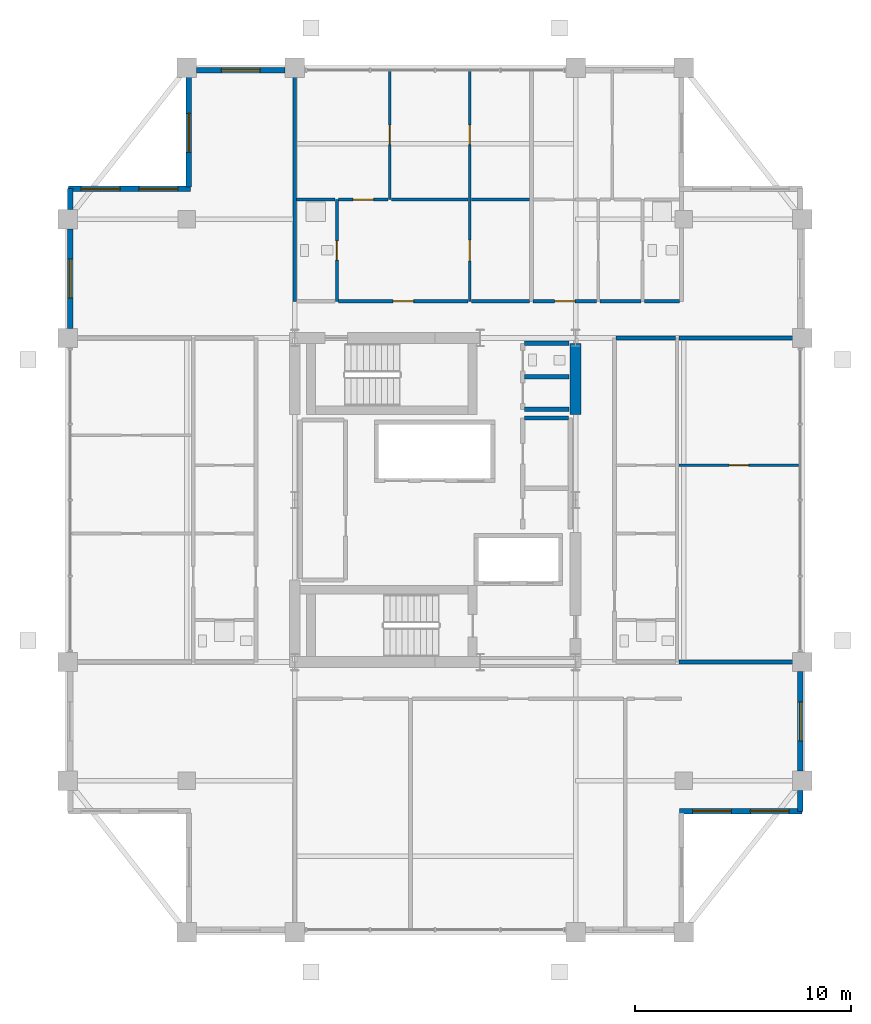
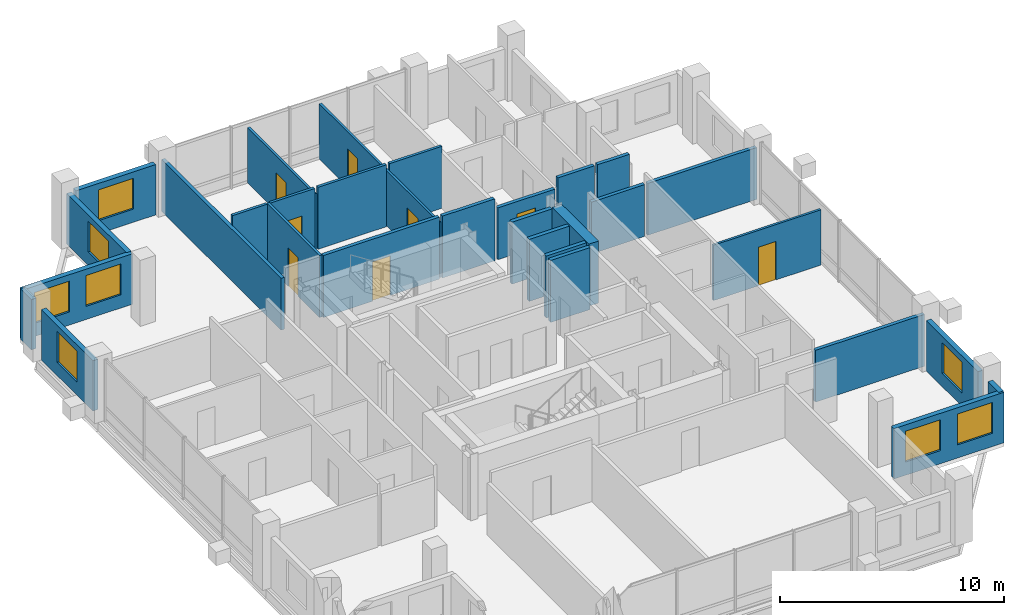
# One storey, part 18 of 21: 30 walls, 8 doors, 8 windows, 16 openings.
"""IFC4 building model written with IfcOpenShell, lengths in metres."""

from ifc_helpers import new_model, si_unit, direction, frame, frame_2d, origin, place, context, subcontext, project, spatial, rectangle, extrude, material, layer, layer_set, type_object, element, fill, save


model = new_model("IFC4")

# Units and contexts
model_context = context("Model", 3, precision=1e-05, world=origin(), true_north=direction((0.0, 1.0)))
body_context = subcontext(model_context, "Body", "Model", "MODEL_VIEW")
ifc_project = project(units=[si_unit("LENGTHUNIT", "METRE"), si_unit("AREAUNIT", "SQUARE_METRE"), si_unit("VOLUMEUNIT", "CUBIC_METRE"), si_unit("PLANEANGLEUNIT", "RADIAN"), si_unit("MASSUNIT", "GRAM", prefix="KILO")], contexts=[model_context])

# Site, building, storey
site_placement = place(None, origin())
site = spatial("IfcSite", under=ifc_project, at=site_placement, CompositionType="ELEMENT")
building_placement = place(site_placement, origin())
building = spatial("IfcBuilding", under=site, at=building_placement, Name="Barlavira Tower and Art Museum", CompositionType="ELEMENT")
storey_placement = place(building_placement, frame((0.0, 0.0, 254.699951171875)))
storey = spatial("IfcBuildingStorey", under=building, at=storey_placement, Name="L66", CompositionType="ELEMENT", Elevation=254.699951171875)

# Wall, opening, door
ifc_material_1 = material(Name="Gypsum acoustic stud partition", Category="gypsum")
ifc_layer_1 = layer(ifc_material_1, 0.1201171875, Name="Gypsum acoustic stud partition")
ifc_layer_set_1 = layer_set([ifc_layer_1], Name="Gypsum acoustic stud partition")
wall_type_1 = type_object("IfcWallType", Name="Apartment Internal Acoustic Partition 120", PredefinedType="PARTITIONING", material=ifc_layer_set_1)
wall_1_placement = place(storey_placement, frame((-2.10009765625, 13.89990234375, 0.0), z_axis=(0.0, 0.0, 1.0), x_axis=(0.0, 1.0, 0.0)))
wall_1 = element("IfcWall", 1, at=wall_1_placement, inside=storey, type_object=wall_type_1, Name="L66 Partition Wall 8", PredefinedType="PARTITIONING", context=body_context, shape_type="SweptSolid", body=[
    extrude(rectangle(XDim=6.0, YDim=0.1201171875, at=frame_2d((3.0, 0.0))), origin(), (0.0, 0.0, 1.0), 3.01806640625),
])
opening_1_placement = place(wall_1_placement, frame((2.550048828125, 0.0, 0.0)))
opening_1 = element("IfcOpeningElement", 2, at=opening_1_placement, cuts=wall_1, Name="Opening D-01", PredefinedType="OPENING", context=body_context, shape_type="SweptSolid", body=[
    extrude(rectangle(XDim=0.89990234375, YDim=2.10009765625, at=frame_2d((0.449951171875, 1.050048828125))), frame((0.0, 0.070068359375, 0.0), z_axis=(0.0, -1.0, 0.0), x_axis=(1.0, 0.0, 0.0)), (0.0, 0.0, 1.0), 0.14013671875),
])
ifc_material_2 = material(Name="Engineered coastal hardwood", Category="wood")
door_type_1 = type_object("IfcDoorType", Name="Internal Bedroom Timber Flush Door 900x2100", OperationType="NOTDEFINED", PredefinedType="DOOR", material=ifc_material_2)
door_1_placement = place(opening_1_placement, origin())
door_1 = element("IfcDoor", 3, at=door_1_placement, inside=storey, type_object=door_type_1, Name="Apartment N1 Bedroom 1 Door", OperationType="SINGLE_SWING_RIGHT", OverallHeight=2.10009765625, OverallWidth=0.89990234375, PredefinedType="DOOR", context=body_context, shape_type="SweptSolid", body=[
    extrude(rectangle(XDim=0.89990234375, YDim=2.10009765625, at=frame_2d((0.449951171875, 1.050048828125))), frame((0.0, 0.02490234375, 0.0), z_axis=(0.0, -1.0, 0.0), x_axis=(1.0, 0.0, 0.0)), (0.0, 0.0, 1.0), 0.050048828125),
])
fill(opening_1, door_1)

# Wall, openings, doors
wall_2_placement = place(storey_placement, frame((1.60009765625, 9.199951171875, 0.0), z_axis=(0.0, 0.0, 1.0), x_axis=(0.0, 1.0, 0.0)))
wall_2 = element("IfcWall", 4, at=wall_2_placement, inside=storey, type_object=wall_type_1, Name="L66 Partition Wall 10", PredefinedType="PARTITIONING", context=body_context, shape_type="SweptSolid", body=[
    extrude(rectangle(XDim=10.699951171875, YDim=0.1201171875, at=frame_2d((5.35009765625, 0.0))), origin(), (0.0, 0.0, 1.0), 3.01806640625),
])
opening_2_placement = place(wall_2_placement, frame((1.875, 0.0, 0.0)))
opening_2 = element("IfcOpeningElement", 5, at=opening_2_placement, cuts=wall_2, Name="Opening D-02", PredefinedType="OPENING", context=body_context, shape_type="SweptSolid", body=[
    extrude(rectangle(XDim=0.949951171875, YDim=2.10009765625, at=frame_2d((0.47509765625, 1.050048828125))), frame((0.0, 0.070068359375, 0.0), z_axis=(0.0, -1.0, 0.0), x_axis=(1.0, 0.0, 0.0)), (0.0, 0.0, 1.0), 0.14013671875),
])
opening_3_placement = place(wall_2_placement, frame((7.25, 0.0, 0.0)))
opening_3 = element("IfcOpeningElement", 6, at=opening_3_placement, cuts=wall_2, Name="Opening D-01", PredefinedType="OPENING", context=body_context, shape_type="SweptSolid", body=[
    extrude(rectangle(XDim=0.89990234375, YDim=2.10009765625, at=frame_2d((0.449951171875, 1.050048828125))), frame((0.0, 0.070068359375, 0.0), z_axis=(0.0, -1.0, 0.0), x_axis=(1.0, 0.0, 0.0)), (0.0, 0.0, 1.0), 0.14013671875),
])
door_2_placement = place(opening_3_placement, origin())
door_2 = element("IfcDoor", 7, at=door_2_placement, inside=storey, type_object=door_type_1, Name="Apartment N1 Bedroom 2 Door", OperationType="SINGLE_SWING_LEFT", OverallHeight=2.10009765625, OverallWidth=0.89990234375, PredefinedType="DOOR", context=body_context, shape_type="SweptSolid", body=[
    extrude(rectangle(XDim=0.89990234375, YDim=2.10009765625, at=frame_2d((0.449951171875, 1.050048828125))), frame((0.0, 0.02490234375, 0.0), z_axis=(0.0, -1.0, 0.0), x_axis=(1.0, 0.0, 0.0)), (0.0, 0.0, 1.0), 0.050048828125),
])
fill(opening_3, door_2)
door_type_2 = type_object("IfcDoorType", Name="Living and Salon Glazed-Leaf Door 950x2100", OperationType="NOTDEFINED", PredefinedType="DOOR", material=ifc_material_2)
door_3_placement = place(opening_2_placement, origin())
door_3 = element("IfcDoor", 8, at=door_3_placement, inside=storey, type_object=door_type_2, Name="Apartment N1 Kitchen Door", OperationType="SINGLE_SWING_RIGHT", OverallHeight=2.10009765625, OverallWidth=0.949951171875, PredefinedType="DOOR", context=body_context, shape_type="SweptSolid", body=[
    extrude(rectangle(XDim=0.949951171875, YDim=2.10009765625, at=frame_2d((0.47509765625, 1.050048828125))), frame((0.0, 0.02490234375, 0.0), z_axis=(0.0, -1.0, 0.0), x_axis=(1.0, 0.0, 0.0)), (0.0, 0.0, 1.0), 0.050048828125),
])
fill(opening_2, door_3)

# Wall, opening, door
wall_3_placement = place(storey_placement, frame((11.280029296875, 1.60009765625, 0.0), z_axis=(0.0, 0.0, 1.0), x_axis=(1.0, 0.0, 0.0)))
wall_3 = element("IfcWall", 9, at=wall_3_placement, inside=storey, type_object=wall_type_1, Name="L66 Partition Wall 38", PredefinedType="PARTITIONING", context=body_context, shape_type="SweptSolid", body=[
    extrude(rectangle(XDim=5.5400390625, YDim=0.1201171875, at=frame_2d((2.77001953125, 0.0))), origin(), (0.0, 0.0, 1.0), 3.01806640625),
])
opening_4_placement = place(wall_3_placement, frame((2.330078125, 0.0, 0.0)))
opening_4 = element("IfcOpeningElement", 10, at=opening_4_placement, cuts=wall_3, Name="Opening D-01", PredefinedType="OPENING", context=body_context, shape_type="SweptSolid", body=[
    extrude(rectangle(XDim=0.89990234375, YDim=2.10009765625, at=frame_2d((0.449951171875, 1.050048828125))), frame((0.0, 0.070068359375, 0.0), z_axis=(0.0, -1.0, 0.0), x_axis=(1.0, 0.0, 0.0)), (0.0, 0.0, 1.0), 0.14013671875),
])
door_4_placement = place(opening_4_placement, origin())
door_4 = element("IfcDoor", 11, at=door_4_placement, inside=storey, type_object=door_type_1, Name="Apartment E1 Bedroom 1 Door", OperationType="SINGLE_SWING_LEFT", OverallHeight=2.10009765625, OverallWidth=0.89990234375, PredefinedType="DOOR", context=body_context, shape_type="SweptSolid", body=[
    extrude(rectangle(XDim=0.89990234375, YDim=2.10009765625, at=frame_2d((0.449951171875, 1.050048828125))), frame((0.0, 0.02490234375, 0.0), z_axis=(0.0, -1.0, 0.0), x_axis=(1.0, 0.0, 0.0)), (0.0, 0.0, 1.0), 0.050048828125),
])
fill(opening_4, door_4)

# Walls
ifc_material_3 = material(Name="Concrete C60", Category="concrete")
ifc_layer_2 = layer(ifc_material_3, 0.5, Name="Concrete C60")
ifc_layer_set_2 = layer_set([ifc_layer_2], Name="Concrete C60")
wall_type_2 = type_object("IfcWallType", Name="Core Structural Shear Wall 500 Concrete C60", PredefinedType="SHEAR", material=ifc_layer_set_2)
wall_4_placement = place(storey_placement, frame((6.5, 3.949951171875, 0.0), z_axis=(0.0, 0.0, 1.0), x_axis=(0.0, 1.0, 0.0)))
element("IfcWall", 12, at=wall_4_placement, inside=storey, type_object=wall_type_2, Name="L66 Core Shear Wall CS-E2", PredefinedType="SHEAR", context=body_context, shape_type="SweptSolid", body=[
    extrude(rectangle(XDim=3.300048828125, YDim=0.5, at=frame_2d((1.64990234375, 0.0))), origin(), (0.0, 0.0, 1.0), 3.380126953125),
])
ifc_material_4 = material(Name="Autoclaved aerated concrete masonry", Category="masonry")
ifc_layer_3 = layer(ifc_material_4, 0.199951171875, Name="Autoclaved aerated concrete masonry")
ifc_layer_set_3 = layer_set([ifc_layer_3], Name="Autoclaved aerated concrete masonry")
wall_type_3 = type_object("IfcWallType", Name="Fire Compartment and Shaft Wall 200", PredefinedType="SOLIDWALL", material=ifc_layer_set_3)
wall_5_placement = place(storey_placement, frame((4.1298828125, 3.800048828125, 0.0), z_axis=(0.0, 0.0, 1.0), x_axis=(1.0, 0.0, 0.0)))
element("IfcWall", 13, at=wall_5_placement, inside=storey, type_object=wall_type_3, Name="L66 Partition Wall 41", PredefinedType="SOLIDWALL", context=body_context, shape_type="SweptSolid", body=[
    extrude(rectangle(XDim=2.0400390625, YDim=0.199951171875, at=frame_2d((1.02001953125, 0.0))), origin(), (0.0, 0.0, 1.0), 3.380126953125),
])
for number, where, z_axis, x_axis, name in (
    (14, (4.1298828125, 4.199951171875, 0.0), (0.0, 0.0, 1.0), (1.0, 0.0, 0.0), "L66 Partition Wall 42"),
    (15, (4.1298828125, 5.699951171875, 0.0), (0.0, 0.0, 1.0), (1.0, 0.0, 0.0), "L66 Partition Wall 43"),
    (16, (4.1298828125, 7.25, 0.0), (0.0, 0.0, 1.0), (1.0, 0.0, 0.0), "L66 Partition Wall 44"),
):
    element("IfcWall", number, at=place(storey_placement, frame(where, z_axis=z_axis, x_axis=x_axis)), inside=storey, type_object=wall_type_3, Name=name, PredefinedType="SOLIDWALL", context=body_context, shape_type="SweptSolid", body=[
        extrude(rectangle(XDim=2.070068359375, YDim=0.199951171875, at=frame_2d((1.03515625, 0.0))), origin(), (0.0, 0.0, 1.0), 3.380126953125),
    ])
ifc_layer_4 = layer(ifc_material_1, 0.179931640625, Name="Gypsum acoustic stud partition")
ifc_layer_set_4 = layer_set([ifc_layer_4], Name="Gypsum acoustic stud partition")
wall_type_4 = type_object("IfcWallType", Name="Inter-Tenancy Party Partition Wall 180", PredefinedType="PARTITIONING", material=ifc_layer_set_4)
wall_6_placement = place(storey_placement, frame((-6.5, 9.199951171875, 0.0), z_axis=(0.0, 0.0, 1.0), x_axis=(0.0, 1.0, 0.0)))
element("IfcWall", 17, at=wall_6_placement, inside=storey, type_object=wall_type_4, Name="L66 Partition Wall 4", PredefinedType="PARTITIONING", context=body_context, shape_type="SweptSolid", body=[
    extrude(rectangle(XDim=10.699951171875, YDim=0.179931640625, at=frame_2d((5.35009765625, 0.0))), origin(), (0.0, 0.0, 1.0), 2.825927734375),
])
wall_7_placement = place(storey_placement, frame((11.280029296875, -7.5, 0.0), z_axis=(0.0, 0.0, 1.0), x_axis=(1.0, 0.0, 0.0)))
element("IfcWall", 18, at=wall_7_placement, inside=storey, type_object=wall_type_4, Name="L66 Partition Wall 28", PredefinedType="PARTITIONING", context=body_context, shape_type="SweptSolid", body=[
    extrude(rectangle(XDim=5.619873046875, YDim=0.179931640625, at=frame_2d((2.81005859375, 0.0))), origin(), (0.0, 0.0, 1.0), 2.825927734375),
])
wall_8_placement = place(storey_placement, frame((8.3798828125, 7.5, 0.0), z_axis=(0.0, 0.0, 1.0), x_axis=(1.0, 0.0, 0.0)))
element("IfcWall", 19, at=wall_8_placement, inside=storey, type_object=wall_type_4, Name="L66 Partition Wall 47", PredefinedType="PARTITIONING", context=body_context, shape_type="SweptSolid", body=[
    extrude(rectangle(XDim=2.740234375, YDim=0.179931640625, at=frame_2d((1.3701171875, 0.0))), origin(), (0.0, 0.0, 1.0), 2.825927734375),
])
wall_9_placement = place(storey_placement, frame((11.280029296875, 7.5, 0.0), z_axis=(0.0, 0.0, 1.0), x_axis=(1.0, 0.0, 0.0)))
element("IfcWall", 20, at=wall_9_placement, inside=storey, type_object=wall_type_4, Name="L66 Partition Wall 48", PredefinedType="PARTITIONING", context=body_context, shape_type="SweptSolid", body=[
    extrude(rectangle(XDim=5.619873046875, YDim=0.179931640625, at=frame_2d((2.81005859375, 0.0))), origin(), (0.0, 0.0, 1.0), 2.825927734375),
])

# Wall, opening, door
wall_10_placement = place(storey_placement, frame((-4.469970703125, 9.199951171875, 0.0), z_axis=(0.0, 0.0, 1.0), x_axis=(1.0, 0.0, 0.0)))
wall_10 = element("IfcWall", 21, at=wall_10_placement, inside=storey, type_object=wall_type_4, Name="L66 Partition Wall 50", PredefinedType="PARTITIONING", context=body_context, shape_type="SweptSolid", body=[
    extrude(rectangle(XDim=5.989990234375, YDim=0.179931640625, at=frame_2d((2.9951171875, 0.0))), origin(), (0.0, 0.0, 1.0), 3.380126953125),
])
opening_5_placement = place(wall_10_placement, frame((2.52490234375, 0.0, 0.0)))
opening_5 = element("IfcOpeningElement", 22, at=opening_5_placement, cuts=wall_10, Name="Opening FD-60", PredefinedType="OPENING", context=body_context, shape_type="SweptSolid", body=[
    extrude(rectangle(XDim=0.949951171875, YDim=2.14990234375, at=frame_2d((0.47509765625, 1.074951171875))), frame((0.0, 0.10009765625, 0.0), z_axis=(0.0, -1.0, 0.0), x_axis=(1.0, 0.0, 0.0)), (0.0, 0.0, 1.0), 0.199951171875),
])
ifc_material_5 = material(Name="Brushed stainless steel", Category="steel")
door_type_3 = type_object("IfcDoorType", Name="Apartment Entrance and Riser Fire Door 950x2150 FD60S", OperationType="NOTDEFINED", PredefinedType="DOOR", material=ifc_material_5)
door_5_placement = place(opening_5_placement, origin())
door_5 = element("IfcDoor", 23, at=door_5_placement, inside=storey, type_object=door_type_3, Name="Apartment Entrance Hall N1 Door", OperationType="SINGLE_SWING_LEFT", OverallHeight=2.14990234375, OverallWidth=0.949951171875, PredefinedType="DOOR", context=body_context, shape_type="SweptSolid", body=[
    extrude(rectangle(XDim=0.949951171875, YDim=2.14990234375, at=frame_2d((0.47509765625, 1.074951171875))), frame((0.0, 0.02490234375, 0.0), z_axis=(0.0, -1.0, 0.0), x_axis=(1.0, 0.0, 0.0)), (0.0, 0.0, 1.0), 0.050048828125),
])
fill(opening_5, door_5)

# Wall
wall_11_placement = place(storey_placement, frame((1.679931640625, 9.199951171875, 0.0), z_axis=(0.0, 0.0, 1.0), x_axis=(1.0, 0.0, 0.0)))
element("IfcWall", 24, at=wall_11_placement, inside=storey, type_object=wall_type_4, Name="L66 Partition Wall 51", PredefinedType="PARTITIONING", context=body_context, shape_type="SweptSolid", body=[
    extrude(rectangle(XDim=2.690185546875, YDim=0.179931640625, at=frame_2d((1.34521484375, 0.0))), origin(), (0.0, 0.0, 1.0), 3.380126953125),
])

# Wall, opening, door
wall_12_placement = place(storey_placement, frame((4.530029296875, 9.199951171875, 0.0), z_axis=(0.0, 0.0, 1.0), x_axis=(1.0, 0.0, 0.0)))
wall_12 = element("IfcWall", 25, at=wall_12_placement, inside=storey, type_object=wall_type_4, Name="L66 Partition Wall 52", PredefinedType="PARTITIONING", context=body_context, shape_type="SweptSolid", body=[
    extrude(rectangle(XDim=2.93994140625, YDim=0.179931640625, at=frame_2d((1.469970703125, 0.0))), origin(), (0.0, 0.0, 1.0), 2.825927734375),
])
opening_6_placement = place(wall_12_placement, frame((0.9951171875, 0.0, 0.0)))
opening_6 = element("IfcOpeningElement", 26, at=opening_6_placement, cuts=wall_12, Name="Opening FD-60", PredefinedType="OPENING", context=body_context, shape_type="SweptSolid", body=[
    extrude(rectangle(XDim=0.949951171875, YDim=2.14990234375, at=frame_2d((0.47509765625, 1.074951171875))), frame((0.0, 0.10009765625, 0.0), z_axis=(0.0, -1.0, 0.0), x_axis=(1.0, 0.0, 0.0)), (0.0, 0.0, 1.0), 0.199951171875),
])
door_6_placement = place(opening_6_placement, origin())
door_6 = element("IfcDoor", 27, at=door_6_placement, inside=storey, type_object=door_type_3, Name="Apartment Entrance Hall N2 Door", OperationType="SINGLE_SWING_RIGHT", OverallHeight=2.14990234375, OverallWidth=0.949951171875, PredefinedType="DOOR", context=body_context, shape_type="SweptSolid", body=[
    extrude(rectangle(XDim=0.949951171875, YDim=2.14990234375, at=frame_2d((0.47509765625, 1.074951171875))), frame((0.0, 0.02490234375, 0.0), z_axis=(0.0, -1.0, 0.0), x_axis=(1.0, 0.0, 0.0)), (0.0, 0.0, 1.0), 0.050048828125),
])
fill(opening_6, door_6)

# Walls
wall_13_placement = place(storey_placement, frame((7.6298828125, 9.199951171875, 0.0), z_axis=(0.0, 0.0, 1.0), x_axis=(1.0, 0.0, 0.0)))
element("IfcWall", 28, at=wall_13_placement, inside=storey, type_object=wall_type_4, Name="L66 Partition Wall 53", PredefinedType="PARTITIONING", context=body_context, shape_type="SweptSolid", body=[
    extrude(rectangle(XDim=1.89013671875, YDim=0.179931640625, at=frame_2d((0.945068359375, 0.0))), origin(), (0.0, 0.0, 1.0), 3.380126953125),
])
wall_14_placement = place(storey_placement, frame((9.679931640625, 9.199951171875, 0.0), z_axis=(0.0, 0.0, 1.0), x_axis=(1.0, 0.0, 0.0)))
element("IfcWall", 29, at=wall_14_placement, inside=storey, type_object=wall_type_4, Name="L66 Partition Wall 54", PredefinedType="PARTITIONING", context=body_context, shape_type="SweptSolid", body=[
    extrude(rectangle(XDim=1.64013671875, YDim=0.179931640625, at=frame_2d((0.820068359375, 0.0))), origin(), (0.0, 0.0, 1.0), 3.380126953125),
])

# Wall, opening, door
ifc_layer_5 = layer(ifc_material_1, 0.139892578125, Name="Gypsum acoustic stud partition")
ifc_layer_set_5 = layer_set([ifc_layer_5], Name="Gypsum acoustic stud partition")
wall_type_5 = type_object("IfcWallType", Name="Moisture-Resistant Bathroom Partition 140", PredefinedType="PARTITIONING", material=ifc_layer_set_5)
wall_15_placement = place(storey_placement, frame((-4.550048828125, 9.199951171875, 0.0), z_axis=(0.0, 0.0, 1.0), x_axis=(0.0, 1.0, 0.0)))
wall_15 = element("IfcWall", 30, at=wall_15_placement, inside=storey, type_object=wall_type_5, Name="L66 Partition Wall 6", PredefinedType="PARTITIONING", context=body_context, shape_type="SweptSolid", body=[
    extrude(rectangle(XDim=4.699951171875, YDim=0.139892578125, at=frame_2d((2.35009765625, 0.0))), origin(), (0.0, 0.0, 1.0), 3.380126953125),
])
opening_7_placement = place(wall_15_placement, frame((1.89990234375, 0.0, 0.0)))
opening_7 = element("IfcOpeningElement", 31, at=opening_7_placement, cuts=wall_15, Name="Opening D-WC", PredefinedType="OPENING", context=body_context, shape_type="SweptSolid", body=[
    extrude(rectangle(XDim=0.89990234375, YDim=2.10009765625, at=frame_2d((0.449951171875, 1.050048828125))), frame((0.0, 0.080078125, 0.0), z_axis=(0.0, -1.0, 0.0), x_axis=(1.0, 0.0, 0.0)), (0.0, 0.0, 1.0), 0.159912109375),
])
door_type_4 = type_object("IfcDoorType", Name="Accessible Bathroom Flush Door 900x2100", OperationType="NOTDEFINED", PredefinedType="DOOR", material=ifc_material_2)
door_7_placement = place(opening_7_placement, origin())
door_7 = element("IfcDoor", 32, at=door_7_placement, inside=storey, type_object=door_type_4, Name="Apartment N1 Hall Bathroom Door", OperationType="SINGLE_SWING_RIGHT", OverallHeight=2.10009765625, OverallWidth=0.89990234375, PredefinedType="DOOR", context=body_context, shape_type="SweptSolid", body=[
    extrude(rectangle(XDim=0.89990234375, YDim=2.10009765625, at=frame_2d((0.449951171875, 1.050048828125))), frame((0.0, 0.02490234375, 0.0), z_axis=(0.0, -1.0, 0.0), x_axis=(1.0, 0.0, 0.0)), (0.0, 0.0, 1.0), 0.050048828125),
])
fill(opening_7, door_7)

# Wall
wall_16_placement = place(storey_placement, frame((-6.419921875, 13.89990234375, 0.0), z_axis=(0.0, 0.0, 1.0), x_axis=(1.0, 0.0, 0.0)))
element("IfcWall", 33, at=wall_16_placement, inside=storey, type_object=wall_type_5, Name="L66 Partition Wall 55", PredefinedType="PARTITIONING", context=body_context, shape_type="SweptSolid", body=[
    extrude(rectangle(XDim=1.7900390625, YDim=0.139892578125, at=frame_2d((0.89501953125, 0.0))), origin(), (0.0, 0.0, 1.0), 3.380126953125),
])

# Wall, opening, door
wall_17_placement = place(storey_placement, frame((-4.469970703125, 13.89990234375, 0.0), z_axis=(0.0, 0.0, 1.0), x_axis=(1.0, 0.0, 0.0)))
wall_17 = element("IfcWall", 34, at=wall_17_placement, inside=storey, type_object=wall_type_5, Name="L66 Partition Wall 56", PredefinedType="PARTITIONING", context=body_context, shape_type="SweptSolid", body=[
    extrude(rectangle(XDim=2.2900390625, YDim=0.139892578125, at=frame_2d((1.14501953125, 0.0))), origin(), (0.0, 0.0, 1.0), 3.380126953125),
])
opening_8_placement = place(wall_17_placement, frame((0.6650390625, 0.0, 0.0)))
opening_8 = element("IfcOpeningElement", 35, at=opening_8_placement, cuts=wall_17, Name="Opening D-02", PredefinedType="OPENING", context=body_context, shape_type="SweptSolid", body=[
    extrude(rectangle(XDim=0.949951171875, YDim=2.10009765625, at=frame_2d((0.47509765625, 1.050048828125))), frame((0.0, 0.080078125, 0.0), z_axis=(0.0, -1.0, 0.0), x_axis=(1.0, 0.0, 0.0)), (0.0, 0.0, 1.0), 0.159912109375),
])
door_8_placement = place(opening_8_placement, origin())
door_8 = element("IfcDoor", 36, at=door_8_placement, inside=storey, type_object=door_type_2, Name="Apartment N1 Living Lounge Door", OperationType="SINGLE_SWING_LEFT", OverallHeight=2.10009765625, OverallWidth=0.949951171875, PredefinedType="DOOR", context=body_context, shape_type="SweptSolid", body=[
    extrude(rectangle(XDim=0.949951171875, YDim=2.10009765625, at=frame_2d((0.47509765625, 1.050048828125))), frame((0.0, 0.02490234375, 0.0), z_axis=(0.0, -1.0, 0.0), x_axis=(1.0, 0.0, 0.0)), (0.0, 0.0, 1.0), 0.050048828125),
])
fill(opening_8, door_8)

# Walls
wall_18_placement = place(storey_placement, frame((-2.02001953125, 13.89990234375, 0.0), z_axis=(0.0, 0.0, 1.0), x_axis=(1.0, 0.0, 0.0)))
element("IfcWall", 37, at=wall_18_placement, inside=storey, type_object=wall_type_5, Name="L66 Partition Wall 57", PredefinedType="PARTITIONING", context=body_context, shape_type="SweptSolid", body=[
    extrude(rectangle(XDim=3.5400390625, YDim=0.139892578125, at=frame_2d((1.77001953125, 0.0))), origin(), (0.0, 0.0, 1.0), 3.380126953125),
])
wall_19_placement = place(storey_placement, frame((1.679931640625, 13.89990234375, 0.0), z_axis=(0.0, 0.0, 1.0), x_axis=(1.0, 0.0, 0.0)))
element("IfcWall", 38, at=wall_19_placement, inside=storey, type_object=wall_type_5, Name="L66 Partition Wall 58", PredefinedType="PARTITIONING", context=body_context, shape_type="SweptSolid", body=[
    extrude(rectangle(XDim=2.690185546875, YDim=0.139892578125, at=frame_2d((1.34521484375, 0.0))), origin(), (0.0, 0.0, 1.0), 3.380126953125),
])

# Wall, opening, window
ifc_material_6 = material(Name="Precast concrete C40", Category="concrete")
ifc_layer_6 = layer(ifc_material_6, 0.25, Name="Precast concrete C40")
ifc_layer_set_6 = layer_set([ifc_layer_6], Name="Precast concrete C40")
wall_type_6 = type_object("IfcWallType", Name="Notched Corner Spandrel Wall 250 Precast Concrete C40", PredefinedType="SOLIDWALL", material=ifc_layer_set_6)
wall_20_placement = place(storey_placement, frame((-6.945068359375, 19.89990234375, 0.0), z_axis=(0.0, 0.0, 1.0), x_axis=(-1.0, 0.0, 0.0)))
wall_20 = element("IfcWall", 39, at=wall_20_placement, inside=storey, type_object=wall_type_6, Name="L66 Coastal Facade Pier Wall CW4-L66-N-3", PredefinedType="SOLIDWALL", context=body_context, shape_type="SweptSolid", body=[
    extrude(rectangle(XDim=4.10986328125, YDim=0.25, at=frame_2d((2.054931640625, 0.0))), origin(), (0.0, 0.0, 1.0), 2.748046875),
])
opening_9_placement = place(wall_20_placement, frame((1.155029296875, 0.0, 0.719970703125)))
opening_9 = element("IfcOpeningElement", 40, at=opening_9_placement, cuts=wall_20, Name="Opening WN-01", PredefinedType="OPENING", context=body_context, shape_type="SweptSolid", body=[
    extrude(rectangle(XDim=1.800048828125, YDim=1.679931640625, at=frame_2d((0.89990234375, 0.83984375))), frame((0.0, 0.135009765625, 0.0), z_axis=(0.0, -1.0, 0.0), x_axis=(1.0, 0.0, 0.0)), (0.0, 0.0, 1.0), 0.27001953125),
])
ifc_material_7 = material(Name="Low-iron coastal laminated glass", Category="glass")
window_type = type_object("IfcWindowType", Name="Recessed Notch Corner Punch Window 1800x1680", PartitioningType="SINGLE_PANEL", PredefinedType="WINDOW", material=ifc_material_7)
window_1_placement = place(opening_9_placement, origin())
window_1 = element("IfcWindow", 41, at=window_1_placement, inside=storey, type_object=window_type, Name="L66 Punched Facade Window EWP-CW4-L66-N-3-1", OverallHeight=1.679931640625, OverallWidth=1.800048828125, PartitioningType="SINGLE_PANEL", PredefinedType="WINDOW", context=body_context, shape_type="SweptSolid", body=[
    extrude(rectangle(XDim=1.800048828125, YDim=1.679931640625, at=frame_2d((0.89990234375, 0.83984375))), frame((0.0, 0.030029296875, 0.0), z_axis=(0.0, -1.0, 0.0), x_axis=(1.0, 0.0, 0.0)), (0.0, 0.0, 1.0), 0.06005859375),
])
fill(opening_9, window_1)

# Wall
wall_21_placement = place(storey_placement, frame((-16.89990234375, 14.425048828125, 0.0), z_axis=(0.0, 0.0, 1.0), x_axis=(0.0, -1.0, 0.0)))
element("IfcWall", 42, at=wall_21_placement, inside=storey, type_object=wall_type_6, Name="L66 Coastal Facade Pier Wall CW4-L66-W-1", PredefinedType="SOLIDWALL", context=body_context, shape_type="SweptSolid", body=[
    extrude(rectangle(XDim=0.97998046875, YDim=0.25, at=frame_2d((0.489990234375, 0.0))), origin(), (0.0, 0.0, 1.0), 2.748046875),
])

# Wall, opening, window
wall_22_placement = place(storey_placement, frame((-16.89990234375, 12.554931640625, 0.0), z_axis=(0.0, 0.0, 1.0), x_axis=(0.0, -1.0, 0.0)))
wall_22 = element("IfcWall", 43, at=wall_22_placement, inside=storey, type_object=wall_type_6, Name="L66 Coastal Facade Pier Wall CW4-L66-W-2", PredefinedType="SOLIDWALL", context=body_context, shape_type="SweptSolid", body=[
    extrude(rectangle(XDim=4.60986328125, YDim=0.25, at=frame_2d((2.304931640625, 0.0))), origin(), (0.0, 0.0, 1.0), 2.748046875),
])
opening_10_placement = place(wall_22_placement, frame((1.405029296875, 0.0, 0.719970703125)))
opening_10 = element("IfcOpeningElement", 44, at=opening_10_placement, cuts=wall_22, Name="Opening WN-01", PredefinedType="OPENING", context=body_context, shape_type="SweptSolid", body=[
    extrude(rectangle(XDim=1.800048828125, YDim=1.679931640625, at=frame_2d((0.89990234375, 0.83984375))), frame((0.0, 0.135009765625, 0.0), z_axis=(0.0, -1.0, 0.0), x_axis=(1.0, 0.0, 0.0)), (0.0, 0.0, 1.0), 0.27001953125),
])
window_2_placement = place(opening_10_placement, origin())
window_2 = element("IfcWindow", 45, at=window_2_placement, inside=storey, type_object=window_type, Name="L66 Punched Facade Window EWP-CW4-L66-W-2-1", OverallHeight=1.679931640625, OverallWidth=1.800048828125, PartitioningType="SINGLE_PANEL", PredefinedType="WINDOW", context=body_context, shape_type="SweptSolid", body=[
    extrude(rectangle(XDim=1.800048828125, YDim=1.679931640625, at=frame_2d((0.89990234375, 0.83984375))), frame((0.0, 0.030029296875, 0.0), z_axis=(0.0, -1.0, 0.0), x_axis=(1.0, 0.0, 0.0)), (0.0, 0.0, 1.0), 0.06005859375),
])
fill(opening_10, window_2)

# Wall
wall_23_placement = place(storey_placement, frame((16.89990234375, -14.425048828125, 0.0), z_axis=(0.0, 0.0, 1.0), x_axis=(0.0, 1.0, 0.0)))
element("IfcWall", 46, at=wall_23_placement, inside=storey, type_object=wall_type_6, Name="L66 Coastal Facade Pier Wall CW4-L66-E-1", PredefinedType="SOLIDWALL", context=body_context, shape_type="SweptSolid", body=[
    extrude(rectangle(XDim=0.97998046875, YDim=0.25, at=frame_2d((0.489990234375, 0.0))), origin(), (0.0, 0.0, 1.0), 2.748046875),
])

# Wall, opening, window
wall_24_placement = place(storey_placement, frame((16.89990234375, -12.554931640625, 0.0), z_axis=(0.0, 0.0, 1.0), x_axis=(0.0, 1.0, 0.0)))
wall_24 = element("IfcWall", 47, at=wall_24_placement, inside=storey, type_object=wall_type_6, Name="L66 Coastal Facade Pier Wall CW4-L66-E-2", PredefinedType="SOLIDWALL", context=body_context, shape_type="SweptSolid", body=[
    extrude(rectangle(XDim=4.60986328125, YDim=0.25, at=frame_2d((2.304931640625, 0.0))), origin(), (0.0, 0.0, 1.0), 2.748046875),
])
opening_11_placement = place(wall_24_placement, frame((1.405029296875, 0.0, 0.719970703125)))
opening_11 = element("IfcOpeningElement", 48, at=opening_11_placement, cuts=wall_24, Name="Opening WN-01", PredefinedType="OPENING", context=body_context, shape_type="SweptSolid", body=[
    extrude(rectangle(XDim=1.800048828125, YDim=1.679931640625, at=frame_2d((0.89990234375, 0.83984375))), frame((0.0, 0.135009765625, 0.0), z_axis=(0.0, -1.0, 0.0), x_axis=(1.0, 0.0, 0.0)), (0.0, 0.0, 1.0), 0.27001953125),
])
window_3_placement = place(opening_11_placement, origin())
window_3 = element("IfcWindow", 49, at=window_3_placement, inside=storey, type_object=window_type, Name="L66 Punched Facade Window EWP-CW4-L66-E-2-1", OverallHeight=1.679931640625, OverallWidth=1.800048828125, PartitioningType="SINGLE_PANEL", PredefinedType="WINDOW", context=body_context, shape_type="SweptSolid", body=[
    extrude(rectangle(XDim=1.800048828125, YDim=1.679931640625, at=frame_2d((0.89990234375, 0.83984375))), frame((0.0, 0.030029296875, 0.0), z_axis=(0.0, -1.0, 0.0), x_axis=(1.0, 0.0, 0.0)), (0.0, 0.0, 1.0), 0.06005859375),
])
fill(opening_11, window_3)

# Wall, openings, windows
wall_25_placement = place(storey_placement, frame((11.320068359375, -14.39990234375, 0.0), z_axis=(0.0, 0.0, 1.0), x_axis=(1.0, 0.0, 0.0)))
wall_25 = element("IfcWall", 50, at=wall_25_placement, inside=storey, type_object=wall_type_6, Name="L66 Notch Corner Wall SE2", PredefinedType="SOLIDWALL", context=body_context, shape_type="SweptSolid", body=[
    extrude(rectangle(XDim=5.659912109375, YDim=0.25, at=frame_2d((2.830078125, 0.0))), origin(), (0.0, 0.0, 1.0), 2.748046875),
])
opening_12_placement = place(wall_25_placement, frame((0.594970703125, 0.0, 0.719970703125)))
opening_12 = element("IfcOpeningElement", 51, at=opening_12_placement, cuts=wall_25, Name="Opening WN-01", PredefinedType="OPENING", context=body_context, shape_type="SweptSolid", body=[
    extrude(rectangle(XDim=1.800048828125, YDim=1.679931640625, at=frame_2d((0.89990234375, 0.83984375))), frame((0.0, 0.135009765625, 0.0), z_axis=(0.0, -1.0, 0.0), x_axis=(1.0, 0.0, 0.0)), (0.0, 0.0, 1.0), 0.27001953125),
])
opening_13_placement = place(wall_25_placement, frame((3.264892578125, 0.0, 0.719970703125)))
opening_13 = element("IfcOpeningElement", 52, at=opening_13_placement, cuts=wall_25, Name="Opening WN-01", PredefinedType="OPENING", context=body_context, shape_type="SweptSolid", body=[
    extrude(rectangle(XDim=1.800048828125, YDim=1.679931640625, at=frame_2d((0.89990234375, 0.83984375))), frame((0.0, 0.135009765625, 0.0), z_axis=(0.0, -1.0, 0.0), x_axis=(1.0, 0.0, 0.0)), (0.0, 0.0, 1.0), 0.27001953125),
])
window_4_placement = place(opening_12_placement, origin())
window_4 = element("IfcWindow", 53, at=window_4_placement, inside=storey, type_object=window_type, Name="L66 Punched Facade Window EW-NTC-L66-SE2-1", OverallHeight=1.679931640625, OverallWidth=1.800048828125, PartitioningType="SINGLE_PANEL", PredefinedType="WINDOW", context=body_context, shape_type="SweptSolid", body=[
    extrude(rectangle(XDim=1.800048828125, YDim=1.679931640625, at=frame_2d((0.89990234375, 0.83984375))), frame((0.0, 0.030029296875, 0.0), z_axis=(0.0, -1.0, 0.0), x_axis=(1.0, 0.0, 0.0)), (0.0, 0.0, 1.0), 0.06005859375),
])
fill(opening_12, window_4)
window_5_placement = place(opening_13_placement, origin())
window_5 = element("IfcWindow", 54, at=window_5_placement, inside=storey, type_object=window_type, Name="L66 Punched Facade Window EW-NTC-L66-SE2-2", OverallHeight=1.679931640625, OverallWidth=1.800048828125, PartitioningType="SINGLE_PANEL", PredefinedType="WINDOW", context=body_context, shape_type="SweptSolid", body=[
    extrude(rectangle(XDim=1.800048828125, YDim=1.679931640625, at=frame_2d((0.89990234375, 0.83984375))), frame((0.0, 0.030029296875, 0.0), z_axis=(0.0, -1.0, 0.0), x_axis=(1.0, 0.0, 0.0)), (0.0, 0.0, 1.0), 0.06005859375),
])
fill(opening_13, window_5)

# Wall, opening, window
wall_26_placement = place(storey_placement, frame((-11.39990234375, 19.820068359375, 0.0), z_axis=(0.0, 0.0, 1.0), x_axis=(0.0, -1.0, 0.0)))
wall_26 = element("IfcWall", 55, at=wall_26_placement, inside=storey, type_object=wall_type_6, Name="L66 Notch Corner Wall NW1", PredefinedType="SOLIDWALL", context=body_context, shape_type="SweptSolid", body=[
    extrude(rectangle(XDim=5.340087890625, YDim=0.25, at=frame_2d((2.669921875, 0.0))), origin(), (0.0, 0.0, 1.0), 2.748046875),
])
opening_14_placement = place(wall_26_placement, frame((1.925048828125, 0.0, 0.719970703125)))
opening_14 = element("IfcOpeningElement", 56, at=opening_14_placement, cuts=wall_26, Name="Opening WN-01", PredefinedType="OPENING", context=body_context, shape_type="SweptSolid", body=[
    extrude(rectangle(XDim=1.800048828125, YDim=1.679931640625, at=frame_2d((0.89990234375, 0.83984375))), frame((0.0, 0.135009765625, 0.0), z_axis=(0.0, -1.0, 0.0), x_axis=(1.0, 0.0, 0.0)), (0.0, 0.0, 1.0), 0.27001953125),
])
window_6_placement = place(opening_14_placement, origin())
window_6 = element("IfcWindow", 57, at=window_6_placement, inside=storey, type_object=window_type, Name="L66 Punched Facade Window EW-NTC-L66-NW1-1", OverallHeight=1.679931640625, OverallWidth=1.800048828125, PartitioningType="SINGLE_PANEL", PredefinedType="WINDOW", context=body_context, shape_type="SweptSolid", body=[
    extrude(rectangle(XDim=1.800048828125, YDim=1.679931640625, at=frame_2d((0.89990234375, 0.83984375))), frame((0.0, 0.030029296875, 0.0), z_axis=(0.0, -1.0, 0.0), x_axis=(1.0, 0.0, 0.0)), (0.0, 0.0, 1.0), 0.06005859375),
])
fill(opening_14, window_6)

# Wall, openings, windows
wall_27_placement = place(storey_placement, frame((-11.320068359375, 14.39990234375, 0.0), z_axis=(0.0, 0.0, 1.0), x_axis=(-1.0, 0.0, 0.0)))
wall_27 = element("IfcWall", 58, at=wall_27_placement, inside=storey, type_object=wall_type_6, Name="L66 Notch Corner Wall NW2", PredefinedType="SOLIDWALL", context=body_context, shape_type="SweptSolid", body=[
    extrude(rectangle(XDim=5.659912109375, YDim=0.25, at=frame_2d((2.830078125, 0.0))), origin(), (0.0, 0.0, 1.0), 2.748046875),
])
opening_15_placement = place(wall_27_placement, frame((0.594970703125, 0.0, 0.719970703125)))
opening_15 = element("IfcOpeningElement", 59, at=opening_15_placement, cuts=wall_27, Name="Opening WN-01", PredefinedType="OPENING", context=body_context, shape_type="SweptSolid", body=[
    extrude(rectangle(XDim=1.800048828125, YDim=1.679931640625, at=frame_2d((0.89990234375, 0.83984375))), frame((0.0, 0.135009765625, 0.0), z_axis=(0.0, -1.0, 0.0), x_axis=(1.0, 0.0, 0.0)), (0.0, 0.0, 1.0), 0.27001953125),
])
opening_16_placement = place(wall_27_placement, frame((3.264892578125, 0.0, 0.719970703125)))
opening_16 = element("IfcOpeningElement", 60, at=opening_16_placement, cuts=wall_27, Name="Opening WN-01", PredefinedType="OPENING", context=body_context, shape_type="SweptSolid", body=[
    extrude(rectangle(XDim=1.800048828125, YDim=1.679931640625, at=frame_2d((0.89990234375, 0.83984375))), frame((0.0, 0.135009765625, 0.0), z_axis=(0.0, -1.0, 0.0), x_axis=(1.0, 0.0, 0.0)), (0.0, 0.0, 1.0), 0.27001953125),
])
window_7_placement = place(opening_15_placement, origin())
window_7 = element("IfcWindow", 61, at=window_7_placement, inside=storey, type_object=window_type, Name="L66 Punched Facade Window EW-NTC-L66-NW2-1", OverallHeight=1.679931640625, OverallWidth=1.800048828125, PartitioningType="SINGLE_PANEL", PredefinedType="WINDOW", context=body_context, shape_type="SweptSolid", body=[
    extrude(rectangle(XDim=1.800048828125, YDim=1.679931640625, at=frame_2d((0.89990234375, 0.83984375))), frame((0.0, 0.030029296875, 0.0), z_axis=(0.0, -1.0, 0.0), x_axis=(1.0, 0.0, 0.0)), (0.0, 0.0, 1.0), 0.06005859375),
])
fill(opening_15, window_7)
window_8_placement = place(opening_16_placement, origin())
window_8 = element("IfcWindow", 62, at=window_8_placement, inside=storey, type_object=window_type, Name="L66 Punched Facade Window EW-NTC-L66-NW2-2", OverallHeight=1.679931640625, OverallWidth=1.800048828125, PartitioningType="SINGLE_PANEL", PredefinedType="WINDOW", context=body_context, shape_type="SweptSolid", body=[
    extrude(rectangle(XDim=1.800048828125, YDim=1.679931640625, at=frame_2d((0.89990234375, 0.83984375))), frame((0.0, 0.030029296875, 0.0), z_axis=(0.0, -1.0, 0.0), x_axis=(1.0, 0.0, 0.0)), (0.0, 0.0, 1.0), 0.06005859375),
])
fill(opening_16, window_8)

save(model, "model.ifc")
